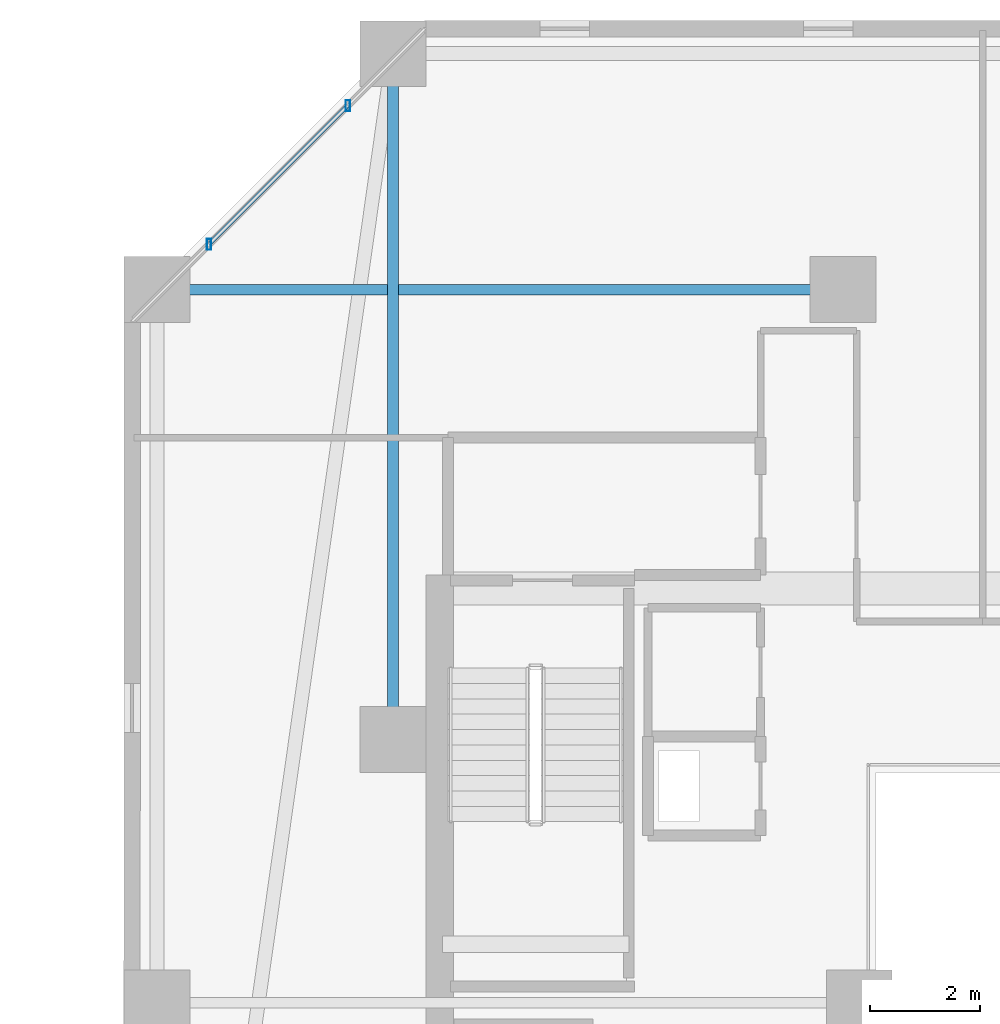
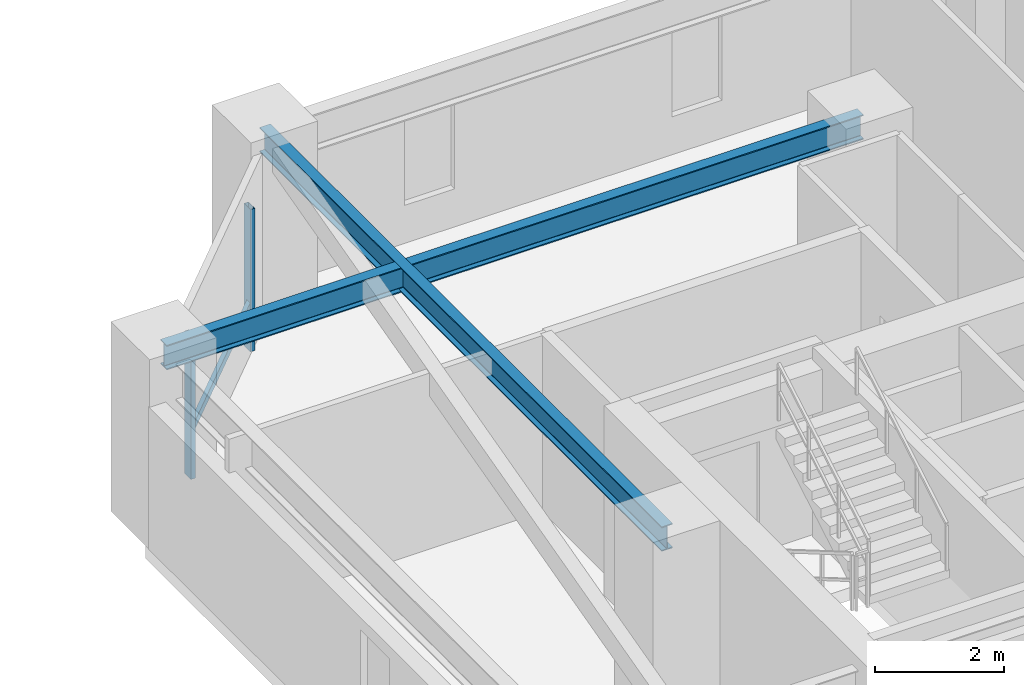
# One storey, part 14 of 33: 3 members, 2 beams, 1 element without a shape of its own.
"""IFC4 building model written with IfcOpenShell, lengths in metres."""

from ifc_helpers import new_model, si_unit, direction, frame, origin, origin_2d, place, context, subcontext, project, spatial, hollow_rectangle, i_section, extrude, material, material_profile, profile_set, type_object, element, aggregate, save


model = new_model("IFC4")

# Units and contexts
model_context = context("Model", 3, precision=1e-05, world=origin(), true_north=direction((0.0, 1.0)))
body_context = subcontext(model_context, "Body", "Model", "MODEL_VIEW")
ifc_project = project(units=[si_unit("LENGTHUNIT", "METRE"), si_unit("AREAUNIT", "SQUARE_METRE"), si_unit("VOLUMEUNIT", "CUBIC_METRE"), si_unit("PLANEANGLEUNIT", "RADIAN"), si_unit("MASSUNIT", "GRAM", prefix="KILO")], contexts=[model_context])

# Site, building, storey
site_placement = place(None, origin())
site = spatial("IfcSite", under=ifc_project, at=site_placement, CompositionType="ELEMENT")
building_placement = place(site_placement, origin())
building = spatial("IfcBuilding", under=site, at=building_placement, Name="Thornwick Lancets Civic Towers", CompositionType="ELEMENT")
storey_placement = place(building_placement, frame((0.0, 0.0, 130.5)))
storey = spatial("IfcBuildingStorey", under=building, at=storey_placement, Name="L34", CompositionType="ELEMENT", Elevation=130.5)

# Beams
ifc_material_1 = material(Name="Steel S355JR", Category="steel")
ifc_material_profile_1 = material_profile(ifc_material_1, i_section(OverallWidth=0.19287109375, OverallDepth=0.46728515625, WebThickness=0.011474609375, FlangeThickness=0.01953125, FilletRadius=0.01025390625, at=origin_2d()), Name="UKB 457x191x98")
ifc_profile_set_1 = profile_set([ifc_material_profile_1], Name="Steel S355JR")
beam_type = type_object("IfcBeamType", Name="BM_JOIST_457_98", PredefinedType="JOIST", material=ifc_profile_set_1)
for number, where, z_axis, x_axis, name in (
    (1, (75.5, 31.800048828125, 3.12646484375), (0.0, 1.0, 0.0), (-1.0, 0.0, 0.0), "BM-RADIN-L34-B06"),
    (2, (83.699951171875, 40.0, 3.12646484375), (-1.0, 0.0, 0.0), (0.0, -1.0, 0.0), "BM-RADIN-L34-B09"),
):
    element("IfcBeam", number, at=place(storey_placement, frame(where, z_axis=z_axis, x_axis=x_axis)), inside=storey, type_object=beam_type, Name=name, PredefinedType="JOIST", context=body_context, shape_type="SweptSolid", body=[
        extrude(i_section(OverallWidth=0.19287109375, OverallDepth=0.46728515625, WebThickness=0.011474609375, FlangeThickness=0.01953125, FilletRadius=0.01025390625, at=origin_2d()), origin(), (0.0, 0.0, 1.0), 12.5),
    ])

# Curtain wall, members
ifc_material_2 = material(Name="Mid-zone chamfered-corner unitised glass curtain wall", Category="glass")
curtain_wall_type = type_object("IfcCurtainWallType", Name="CW_SYS_04", PredefinedType="NOTDEFINED", material=ifc_material_2)
curtain_wall_placement = place(storey_placement, origin())
curtain_wall = element("IfcCurtainWall", 3, at=curtain_wall_placement, inside=storey, type_object=curtain_wall_type, Name="L34 Curtain Wall CW-L34-B-E5", PredefinedType="NOTDEFINED")
ifc_material_3 = material(Name="Thermally broken bronze aluminium S355", Category="steel")
ifc_material_profile_2 = material_profile(ifc_material_3, hollow_rectangle(XDim=0.080078125, YDim=0.199951171875, WallThickness=0.006103515625, at=origin_2d()), Name="RHS 200x80x6")
ifc_profile_set_2 = profile_set([ifc_material_profile_2], Name="Thermally broken bronze aluminium S355")
member_type_1 = type_object("IfcMemberType", Name="CW_MUL_200", PredefinedType="MULLION", material=ifc_profile_set_2)
member_1_placement = place(storey_placement, frame((74.676513671875, 43.355712890625, 0.0), z_axis=(0.0, 0.0, 1.0), x_axis=(1.0, 0.0, 0.0)))
member_1 = element("IfcMember", 4, at=member_1_placement, type_object=member_type_1, Name="CW-L34-B-E5 Mullion 0", PredefinedType="MULLION", context=body_context, shape_type="SweptSolid", body=[
    extrude(hollow_rectangle(XDim=0.080078125, YDim=0.199951171875, WallThickness=0.006103515625, at=origin_2d()), origin(), (0.0, 0.0, 1.0), 2.699951171875),
])
member_2_placement = place(storey_placement, frame((72.144287109375, 40.823486328125, 0.0), z_axis=(0.0, 0.0, 1.0), x_axis=(1.0, 0.0, 0.0)))
member_2 = element("IfcMember", 5, at=member_2_placement, type_object=member_type_1, Name="CW-L34-B-E5 Mullion 1", PredefinedType="MULLION", context=body_context, shape_type="SweptSolid", body=[
    extrude(hollow_rectangle(XDim=0.080078125, YDim=0.199951171875, WallThickness=0.006103515625, at=origin_2d()), origin(), (0.0, 0.0, 1.0), 2.699951171875),
])
ifc_material_profile_3 = material_profile(ifc_material_3, hollow_rectangle(XDim=0.074951171875, YDim=0.14990234375, WallThickness=0.0048828125, at=origin_2d()), Name="RHS 150x75x5")
ifc_profile_set_3 = profile_set([ifc_material_profile_3], Name="Thermally broken bronze aluminium S355")
member_type_2 = type_object("IfcMemberType", Name="CW_TRN_150", PredefinedType="USERDEFINED", material=ifc_profile_set_3)
member_3_placement = place(storey_placement, frame((74.662353515625, 43.341552734375, 0.85009765625), z_axis=(-0.707106781187, -0.707106781187, 0.0), x_axis=(0.707106781187, -0.707106781187, 0.0)))
member_3 = element("IfcMember", 6, at=member_3_placement, type_object=member_type_2, Name="CW-L34-B-E5 Transom 0", ObjectType="TRANSOM", PredefinedType="USERDEFINED", context=body_context, shape_type="SweptSolid", body=[
    extrude(hollow_rectangle(XDim=0.074951171875, YDim=0.14990234375, WallThickness=0.0048828125, at=origin_2d()), origin(), (0.0, 0.0, 1.0), 3.541015625),
])
aggregate(curtain_wall, [member_1, member_2, member_3])

save(model, "model.ifc")
